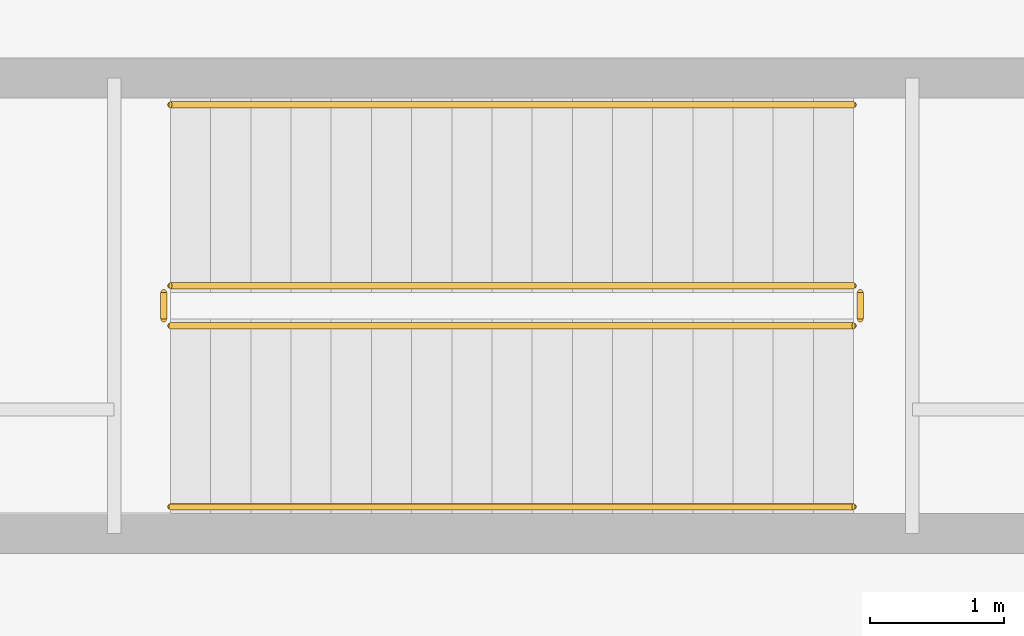
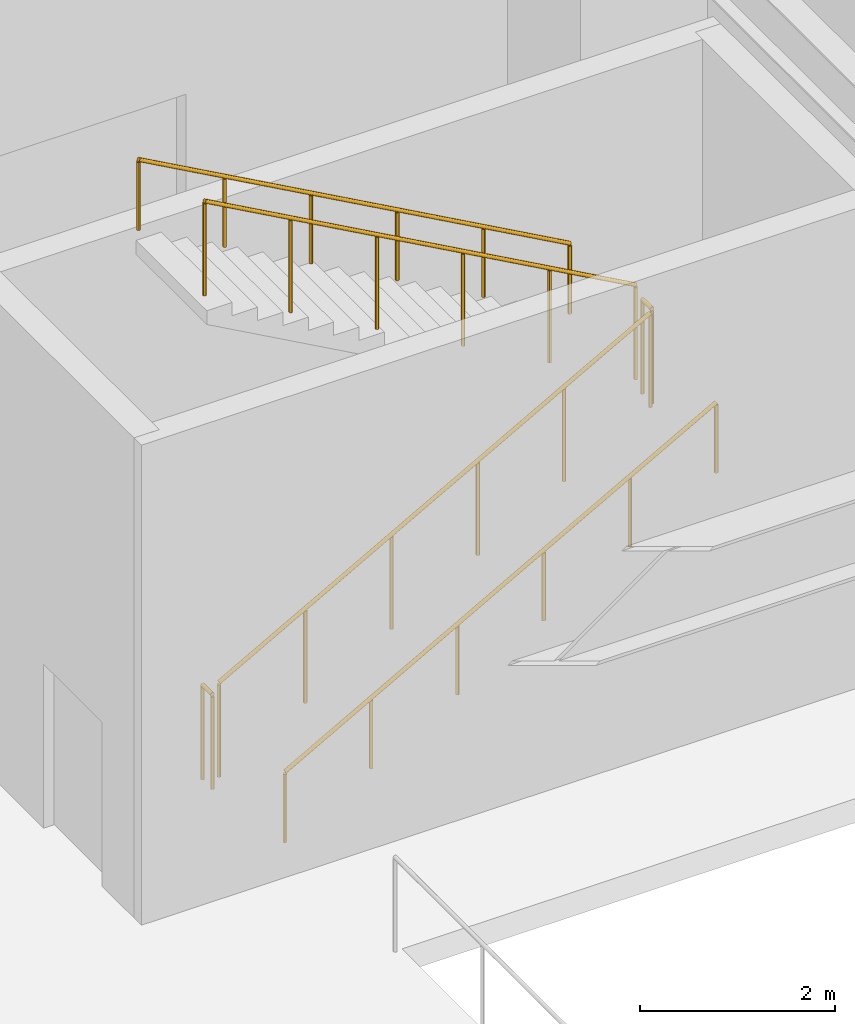
# One storey, part 29 of 31: 6 railings.
"""IFC4 building model written with IfcOpenShell, lengths in metres."""

from ifc_helpers import new_model, si_unit, direction, frame, origin, origin_2d, place, context, subcontext, project, spatial, circle, extrude, material, type_object, element, save


model = new_model("IFC4")

# Units and contexts
model_context = context("Model", 3, precision=1e-05, world=origin(), true_north=direction((0.0, 1.0)))
body_context = subcontext(model_context, "Body", "Model", "MODEL_VIEW")
ifc_project = project(units=[si_unit("LENGTHUNIT", "METRE"), si_unit("AREAUNIT", "SQUARE_METRE"), si_unit("VOLUMEUNIT", "CUBIC_METRE"), si_unit("PLANEANGLEUNIT", "RADIAN"), si_unit("MASSUNIT", "GRAM", prefix="KILO")], contexts=[model_context])

# Site, building, storey
site_placement = place(None, origin())
site = spatial("IfcSite", under=ifc_project, at=site_placement, CompositionType="ELEMENT")
building_placement = place(site_placement, origin())
building = spatial("IfcBuilding", under=site, at=building_placement, Name="Qiaolan Cultural Towers", CompositionType="ELEMENT")
storey_placement = place(building_placement, origin())
storey = spatial("IfcBuildingStorey", under=building, at=storey_placement, Name="L00", CompositionType="ELEMENT", Elevation=0.0)

# Railings
ifc_material_1 = material(Name="Galvanized Painted Steel Stair Guardrail", Category="steel")
railing_type_1 = type_object("IfcRailingType", Name="RL-STAIR-GRD", PredefinedType="GUARDRAIL", material=ifc_material_1)
railing_1_placement = place(storey_placement, frame((110.0, 59.60009765625, 0.166748046875)))
element("IfcRailing", 1, at=railing_1_placement, inside=storey, type_object=railing_type_1, Name="L00 ST-P2 stair guard 1", PredefinedType="GUARDRAIL", context=body_context, shape_type="SweptSolid", body=[
    extrude(circle(Radius=0.02392578125, at=origin_2d()), frame((0.0, 0.0, 1.17578125), z_axis=(0.874167145328, 0.0, 0.485625166182), x_axis=(0.0, 1.0, 0.0)), (0.0, 0.0, 1.0), 5.834228515625),
    extrude(circle(Radius=0.02099609375, at=origin_2d()), origin(), (0.0, 0.0, 1.0), 1.15185546875),
    extrude(circle(Radius=0.02099609375, at=origin_2d()), frame((1.02001953125, 0.0, 0.566650390625)), (0.0, 0.0, 1.0), 1.15185546875),
    extrude(circle(Radius=0.02099609375, at=origin_2d()), frame((2.0400390625, 0.0, 1.13330078125)), (0.0, 0.0, 1.0), 1.15185546875),
    extrude(circle(Radius=0.02099609375, at=origin_2d()), frame((3.06005859375, 0.0, 1.699951171875)), (0.0, 0.0, 1.0), 1.15185546875),
    extrude(circle(Radius=0.02099609375, at=origin_2d()), frame((4.080078125, 0.0, 2.2666015625)), (0.0, 0.0, 1.0), 1.15185546875),
    extrude(circle(Radius=0.02099609375, at=origin_2d()), frame((5.10009765625, 0.0, 2.833251953125)), (0.0, 0.0, 1.0), 1.15185546875),
])
railing_2_placement = place(storey_placement, frame((115.14990234375, 59.64990234375, 3.0)))
element("IfcRailing", 2, at=railing_2_placement, inside=storey, type_object=railing_type_1, Name="L00 ST-P2 stair guard 2", PredefinedType="GUARDRAIL", context=body_context, shape_type="SweptSolid", body=[
    extrude(circle(Radius=0.02392578125, at=origin_2d()), frame((0.0, 0.0, 1.17578125), z_axis=(0.0, 1.0, 0.0), x_axis=(-1.0, 0.0, 0.0)), (0.0, 0.0, 1.0), 0.2001953125),
    extrude(circle(Radius=0.02099609375, at=origin_2d()), origin(), (0.0, 0.0, 1.0), 1.15185546875),
    extrude(circle(Radius=0.02099609375, at=origin_2d()), frame((0.0, 0.2001953125, 0.0)), (0.0, 0.0, 1.0), 1.15185546875),
])
railing_3_placement = place(storey_placement, frame((115.10009765625, 59.89990234375, 3.166748046875)))
element("IfcRailing", 3, at=railing_3_placement, inside=storey, type_object=railing_type_1, Name="L00 ST-P2 stair guard 3", PredefinedType="GUARDRAIL", context=body_context, shape_type="SweptSolid", body=[
    extrude(circle(Radius=0.02392578125, at=origin_2d()), frame((0.0, 0.0, 1.17578125), z_axis=(-0.874167145328, 0.0, 0.485625166182), x_axis=(0.0, -1.0, 0.0)), (0.0, 0.0, 1.0), 5.834228515625),
    extrude(circle(Radius=0.02099609375, at=origin_2d()), origin(), (0.0, 0.0, 1.0), 1.15185546875),
    extrude(circle(Radius=0.02099609375, at=origin_2d()), frame((-1.02001953125, 0.0, 0.566650390625)), (0.0, 0.0, 1.0), 1.15185546875),
    extrude(circle(Radius=0.02099609375, at=origin_2d()), frame((-2.0400390625, 0.0, 1.13330078125)), (0.0, 0.0, 1.0), 1.15185546875),
    extrude(circle(Radius=0.02099609375, at=origin_2d()), frame((-3.06005859375, 0.0, 1.699951171875)), (0.0, 0.0, 1.0), 1.15185546875),
    extrude(circle(Radius=0.02099609375, at=origin_2d()), frame((-4.080078125, 0.0, 2.2666015625)), (0.0, 0.0, 1.0), 1.15185546875),
    extrude(circle(Radius=0.02099609375, at=origin_2d()), frame((-5.10009765625, 0.0, 2.833251953125)), (0.0, 0.0, 1.0), 1.15185546875),
])
railing_4_placement = place(storey_placement, frame((109.949951171875, 59.64990234375, 0.0)))
element("IfcRailing", 4, at=railing_4_placement, inside=storey, type_object=railing_type_1, Name="L00 ST-P2 stair guard 4", PredefinedType="GUARDRAIL", context=body_context, shape_type="SweptSolid", body=[
    extrude(circle(Radius=0.02392578125, at=origin_2d()), frame((0.0, 0.0, 1.17578125), z_axis=(0.0, 1.0, 0.0), x_axis=(-1.0, 0.0, 0.0)), (0.0, 0.0, 1.0), 0.2001953125),
    extrude(circle(Radius=0.02099609375, at=origin_2d()), origin(), (0.0, 0.0, 1.0), 1.15185546875),
    extrude(circle(Radius=0.02099609375, at=origin_2d()), frame((0.0, 0.2001953125, 0.0)), (0.0, 0.0, 1.0), 1.15185546875),
])
ifc_material_2 = material(Name="Stainless Steel S30408 Tubular Handrail", Category="steel")
railing_type_2 = type_object("IfcRailingType", Name="RL-STAIR-HR", PredefinedType="HANDRAIL", material=ifc_material_2)
railing_5_placement = place(storey_placement, frame((110.0, 58.25, 0.166748046875)))
element("IfcRailing", 5, at=railing_5_placement, inside=storey, type_object=railing_type_2, Name="L00 ST-P2 stair handrail 1", PredefinedType="HANDRAIL", context=body_context, shape_type="SweptSolid", body=[
    extrude(circle(Radius=0.02392578125, at=origin_2d()), frame((0.0, 0.0, 0.8759765625), z_axis=(0.874167145328, 0.0, 0.485625166182), x_axis=(0.0, 1.0, 0.0)), (0.0, 0.0, 1.0), 5.834228515625),
    extrude(circle(Radius=0.02099609375, at=origin_2d()), origin(), (0.0, 0.0, 1.0), 0.851806640625),
    extrude(circle(Radius=0.02099609375, at=origin_2d()), frame((1.02001953125, 0.0, 0.566650390625)), (0.0, 0.0, 1.0), 0.851806640625),
    extrude(circle(Radius=0.02099609375, at=origin_2d()), frame((2.0400390625, 0.0, 1.13330078125)), (0.0, 0.0, 1.0), 0.851806640625),
    extrude(circle(Radius=0.02099609375, at=origin_2d()), frame((3.06005859375, 0.0, 1.699951171875)), (0.0, 0.0, 1.0), 0.851806640625),
    extrude(circle(Radius=0.02099609375, at=origin_2d()), frame((4.080078125, 0.0, 2.2666015625)), (0.0, 0.0, 1.0), 0.851806640625),
    extrude(circle(Radius=0.02099609375, at=origin_2d()), frame((5.10009765625, 0.0, 2.833251953125)), (0.0, 0.0, 1.0), 0.851806640625),
])
railing_6_placement = place(storey_placement, frame((115.10009765625, 61.25, 3.166748046875)))
element("IfcRailing", 6, at=railing_6_placement, inside=storey, type_object=railing_type_2, Name="L00 ST-P2 stair handrail 2", PredefinedType="HANDRAIL", context=body_context, shape_type="SweptSolid", body=[
    extrude(circle(Radius=0.02392578125, at=origin_2d()), frame((0.0, 0.0, 0.8759765625), z_axis=(-0.874167145328, 0.0, 0.485625166182), x_axis=(0.0, -1.0, 0.0)), (0.0, 0.0, 1.0), 5.834228515625),
    extrude(circle(Radius=0.02099609375, at=origin_2d()), origin(), (0.0, 0.0, 1.0), 0.851806640625),
    extrude(circle(Radius=0.02099609375, at=origin_2d()), frame((-1.02001953125, 0.0, 0.566650390625)), (0.0, 0.0, 1.0), 0.851806640625),
    extrude(circle(Radius=0.02099609375, at=origin_2d()), frame((-2.0400390625, 0.0, 1.13330078125)), (0.0, 0.0, 1.0), 0.851806640625),
    extrude(circle(Radius=0.02099609375, at=origin_2d()), frame((-3.06005859375, 0.0, 1.699951171875)), (0.0, 0.0, 1.0), 0.851806640625),
    extrude(circle(Radius=0.02099609375, at=origin_2d()), frame((-4.080078125, 0.0, 2.2666015625)), (0.0, 0.0, 1.0), 0.851806640625),
    extrude(circle(Radius=0.02099609375, at=origin_2d()), frame((-5.10009765625, 0.0, 2.833251953125)), (0.0, 0.0, 1.0), 0.851806640625),
])

save(model, "model.ifc")
